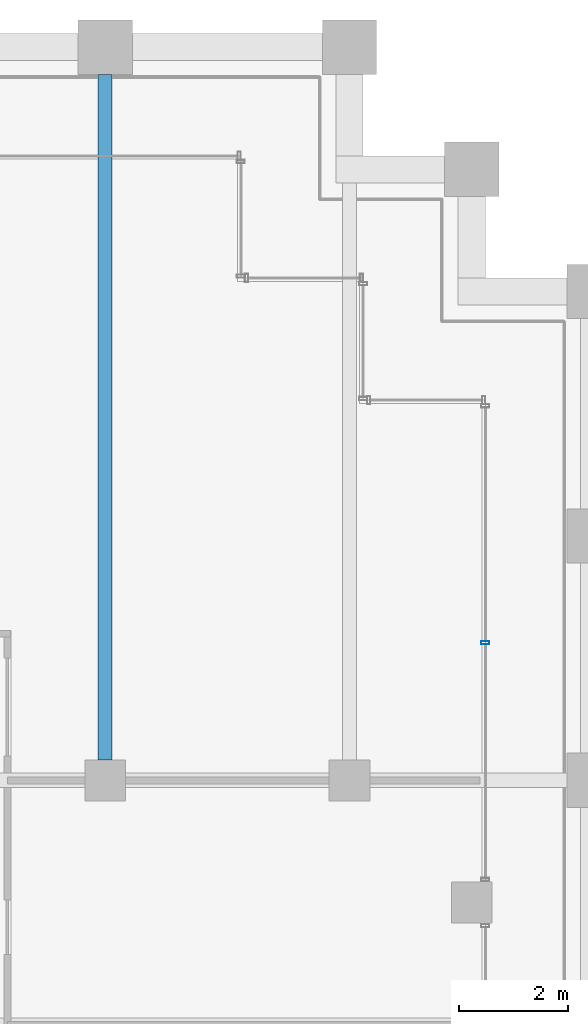
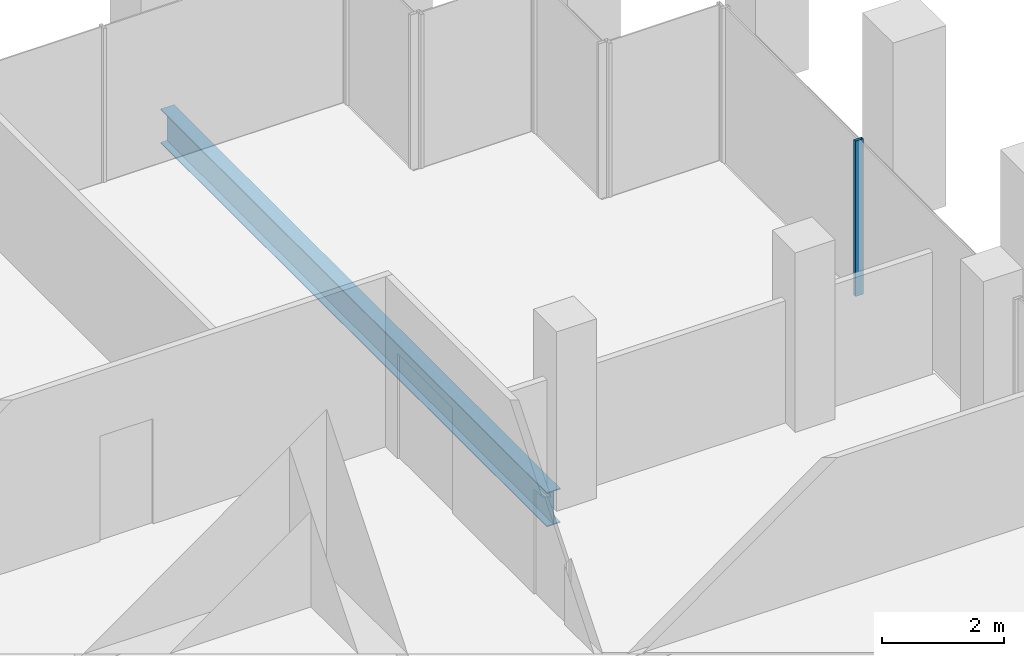
# One storey, part 24 of 46: 1 beam, 1 member, 1 element without a shape of its own.
"""IFC4 building model written with IfcOpenShell, lengths in metres."""

from ifc_helpers import new_model, si_unit, direction, frame, origin, origin_2d, place, context, subcontext, project, spatial, hollow_rectangle, i_section, extrude, material, material_profile, profile_set, type_object, element, aggregate, save


model = new_model("IFC4")

# Units and contexts
model_context = context("Model", 3, precision=1e-05, world=origin(), true_north=direction((0.0, 1.0)))
body_context = subcontext(model_context, "Body", "Model", "MODEL_VIEW")
ifc_project = project(units=[si_unit("LENGTHUNIT", "METRE"), si_unit("AREAUNIT", "SQUARE_METRE"), si_unit("VOLUMEUNIT", "CUBIC_METRE"), si_unit("PLANEANGLEUNIT", "RADIAN"), si_unit("MASSUNIT", "GRAM", prefix="KILO")], contexts=[model_context])

# Site, building, storey
site_placement = place(None, origin())
site = spatial("IfcSite", under=ifc_project, at=site_placement, CompositionType="ELEMENT")
building_placement = place(site_placement, origin())
building = spatial("IfcBuilding", under=site, at=building_placement, Name="Altepetl Exchange Towers", CompositionType="ELEMENT")
storey_placement = place(building_placement, frame((0.0, 0.0, 135.199951171875)))
storey = spatial("IfcBuildingStorey", under=building, at=storey_placement, Name="L33", CompositionType="ELEMENT", Elevation=135.199951171875)

# Beam
ifc_material_1 = material(Name="Steel S355", Category="steel")
ifc_material_profile_1 = material_profile(ifc_material_1, i_section(OverallWidth=0.25390625, OverallDepth=0.68408203125, WebThickness=0.012451171875, FlangeThickness=0.018798828125, at=origin_2d()), Name="W27X94")
ifc_profile_set_1 = profile_set([ifc_material_profile_1], Name="Steel S355")
beam_type = type_object("IfcBeamType", Name="Floor beam W27X94", PredefinedType="BEAM", material=ifc_profile_set_1)
beam_placement = place(storey_placement, frame((63.0, 58.875, -0.491943359375), z_axis=(0.0, 1.0, 0.0), x_axis=(-1.0, 0.0, 0.0)))
element("IfcBeam", 1, at=beam_placement, inside=storey, type_object=beam_type, Name="bm:A:L33:004", PredefinedType="BEAM", context=body_context, shape_type="SweptSolid", body=[
    extrude(i_section(OverallWidth=0.25390625, OverallDepth=0.68408203125, WebThickness=0.012451171875, FlangeThickness=0.018798828125, at=origin_2d()), origin(), (0.0, 0.0, 1.0), 12.625),
])

# Curtain wall, member
ifc_material_2 = material(Name="Aluminium 6063-T6 glazing", Category="aluminium")
curtain_wall_type = type_object("IfcCurtainWallType", Name="Loggia glazing system", PredefinedType="NOTDEFINED", material=ifc_material_2)
curtain_wall_placement = place(storey_placement, origin())
curtain_wall = element("IfcCurtainWall", 2, at=curtain_wall_placement, inside=storey, type_object=curtain_wall_type, Name="CW1 run", PredefinedType="NOTDEFINED")
ifc_material_3 = material(Name="Aluminium 6063-T6", Category="aluminium")
ifc_material_profile_2 = material_profile(ifc_material_3, hollow_rectangle(XDim=0.06005859375, YDim=0.14990234375, WallThickness=0.0029296875, at=origin_2d()), Name="Mullion 60x150 aluminium")
ifc_profile_set_2 = profile_set([ifc_material_profile_2], Name="Aluminium 6063-T6")
member_type = type_object("IfcMemberType", Name="Mullion 60x150 aluminium", PredefinedType="MULLION", material=ifc_profile_set_2)
member_placement = place(storey_placement, frame((70.0, 61.034912109375, 0.0), z_axis=(0.0, 0.0, 1.0), x_axis=(0.0, 1.0, 0.0)))
member = element("IfcMember", 3, at=member_placement, type_object=member_type, Name="MU1 mullion", PredefinedType="MULLION", context=body_context, shape_type="SweptSolid", body=[
    extrude(hollow_rectangle(XDim=0.06005859375, YDim=0.14990234375, WallThickness=0.0029296875, at=origin_2d()), origin(), (0.0, 0.0, 1.0), 3.10009765625),
])
aggregate(curtain_wall, [member])

save(model, "model.ifc")
